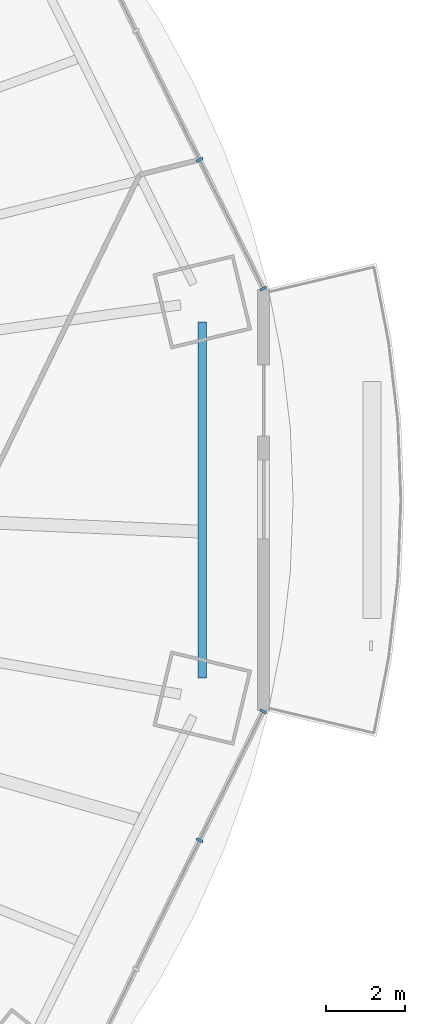
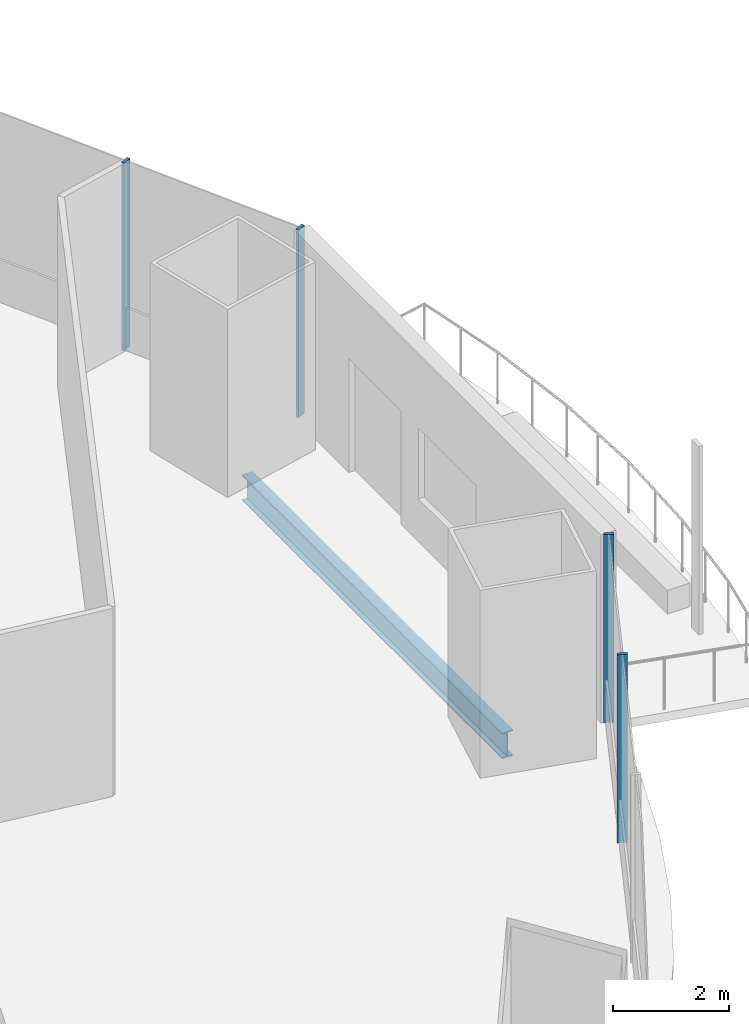
# One storey, part 9 of 20: 4 members, 1 beam, 2 elements without a shape of their own.
"""IFC4 building model written with IfcOpenShell, lengths in metres."""

from ifc_helpers import new_model, si_unit, direction, frame, origin, origin_2d, place, context, subcontext, project, spatial, rectangle, i_section, extrude, material, material_profile, profile_set, type_object, element, aggregate, save


model = new_model("IFC4")

# Units and contexts
model_context = context("Model", 3, precision=1e-05, world=origin(), true_north=direction((0.0, 1.0)))
body_context = subcontext(model_context, "Body", "Model", "MODEL_VIEW")
ifc_project = project(units=[si_unit("LENGTHUNIT", "METRE"), si_unit("AREAUNIT", "SQUARE_METRE"), si_unit("VOLUMEUNIT", "CUBIC_METRE"), si_unit("PLANEANGLEUNIT", "RADIAN"), si_unit("MASSUNIT", "GRAM", prefix="KILO")], contexts=[model_context])

# Site, building, storey
site_placement = place(None, origin())
site = spatial("IfcSite", under=ifc_project, at=site_placement, CompositionType="ELEMENT")
building_placement = place(site_placement, origin())
building = spatial("IfcBuilding", under=site, at=building_placement, Name="Marenthal Gate Tower", CompositionType="ELEMENT")
storey_placement = place(building_placement, frame((0.0, 0.0, 177.64990234375)))
storey = spatial("IfcBuildingStorey", under=building, at=storey_placement, Name="L38", CompositionType="ELEMENT", Elevation=177.64990234375)

# Curtain wall, members
ifc_material_1 = material(Name="Aluminium and glass", Category="aluminium")
curtain_wall_type = type_object("IfcCurtainWallType", Name="Curtain wall typical mid", PredefinedType="NOTDEFINED", material=ifc_material_1)
curtain_wall_1_placement = place(storey_placement, origin())
curtain_wall_1 = element("IfcCurtainWall", 1, at=curtain_wall_1_placement, inside=storey, type_object=curtain_wall_type, Name="Curtain wall L38 bay 1", PredefinedType="NOTDEFINED")
ifc_material_2 = material(Name="Aluminium", Category="aluminium")
ifc_material_profile_1 = material_profile(ifc_material_2, rectangle(XDim=0.179931640625, YDim=0.06005859375, at=origin_2d()), Name="60x180 aluminium mullion")
ifc_profile_set_1 = profile_set([ifc_material_profile_1], Name="Aluminium")
member_type = type_object("IfcMemberType", Name="Mullion 60x180 typical mid", PredefinedType="MULLION", material=ifc_profile_set_1)
member_1_placement = place(storey_placement, frame((33.6201171875, 4.73828125, 0.0), z_axis=(0.0, 0.0, 1.0), x_axis=(-0.89664343149, -0.442753381428, 0.0)))
member_1 = element("IfcMember", 2, at=member_1_placement, type_object=member_type, Name="Mullion L38 bay 1.1", PredefinedType="MULLION", context=body_context, shape_type="SweptSolid", body=[
    extrude(rectangle(XDim=0.179931640625, YDim=0.06005859375, at=origin_2d()), origin(), (0.0, 0.0, 1.0), 3.97021484375),
])
member_2_placement = place(storey_placement, frame((32.013427734375, 7.991943359375, 0.0), z_axis=(0.0, 0.0, 1.0), x_axis=(-0.89664343149, -0.442753381428, 0.0)))
member_2 = element("IfcMember", 3, at=member_2_placement, type_object=member_type, Name="Mullion L38 bay 1.2", PredefinedType="MULLION", context=body_context, shape_type="SweptSolid", body=[
    extrude(rectangle(XDim=0.179931640625, YDim=0.06005859375, at=origin_2d()), origin(), (0.0, 0.0, 1.0), 3.97021484375),
])
aggregate(curtain_wall_1, [member_1, member_2])

curtain_wall_2_placement = place(storey_placement, origin())
curtain_wall_2 = element("IfcCurtainWall", 4, at=curtain_wall_2_placement, inside=storey, type_object=curtain_wall_type, Name="Curtain wall L38 bay 15", PredefinedType="NOTDEFINED")
member_3_placement = place(storey_placement, frame((32.013427734375, -9.19189453125, 0.0), z_axis=(0.0, 0.0, 1.0), x_axis=(-0.89664343149, 0.442753381428, 0.0)))
member_3 = element("IfcMember", 5, at=member_3_placement, type_object=member_type, Name="Mullion L38 bay 15.3", PredefinedType="MULLION", context=body_context, shape_type="SweptSolid", body=[
    extrude(rectangle(XDim=0.179931640625, YDim=0.06005859375, at=origin_2d()), origin(), (0.0, 0.0, 1.0), 3.97021484375),
])
member_4_placement = place(storey_placement, frame((33.6201171875, -5.9384765625, 0.0), z_axis=(0.0, 0.0, 1.0), x_axis=(-0.89664343149, 0.442753381428, 0.0)))
member_4 = element("IfcMember", 6, at=member_4_placement, type_object=member_type, Name="Mullion L38 bay 15.4", PredefinedType="MULLION", context=body_context, shape_type="SweptSolid", body=[
    extrude(rectangle(XDim=0.179931640625, YDim=0.06005859375, at=origin_2d()), origin(), (0.0, 0.0, 1.0), 3.97021484375),
])
aggregate(curtain_wall_2, [member_3, member_4])

# Beam
ifc_material_3 = material(Name="Steel S355", Category="steel")
ifc_material_profile_2 = material_profile(ifc_material_3, i_section(OverallWidth=0.2119140625, OverallDepth=0.5439453125, WebThickness=0.01318359375, FlangeThickness=0.021240234375, FilletRadius=0.0126953125, at=origin_2d()), Name="W530X123")
ifc_profile_set_2 = profile_set([ifc_material_profile_2], Name="Steel S355")
beam_type = type_object("IfcBeamType", Name="W530X123 beam", PredefinedType="BEAM", material=ifc_profile_set_2)
beam_placement = place(storey_placement, frame((32.083740234375, -5.1005859375, -0.451904296875), z_axis=(0.0, 1.0, 0.0), x_axis=(-1.0, 0.0, 0.0)))
element("IfcBeam", 7, at=beam_placement, inside=storey, type_object=beam_type, Name="BM-L38-56", PredefinedType="BEAM", context=body_context, shape_type="SweptSolid", body=[
    extrude(i_section(OverallWidth=0.2119140625, OverallDepth=0.5439453125, WebThickness=0.01318359375, FlangeThickness=0.021240234375, FilletRadius=0.0126953125, at=origin_2d()), origin(), (0.0, 0.0, 1.0), 9.001220703125),
])

save(model, "model.ifc")
